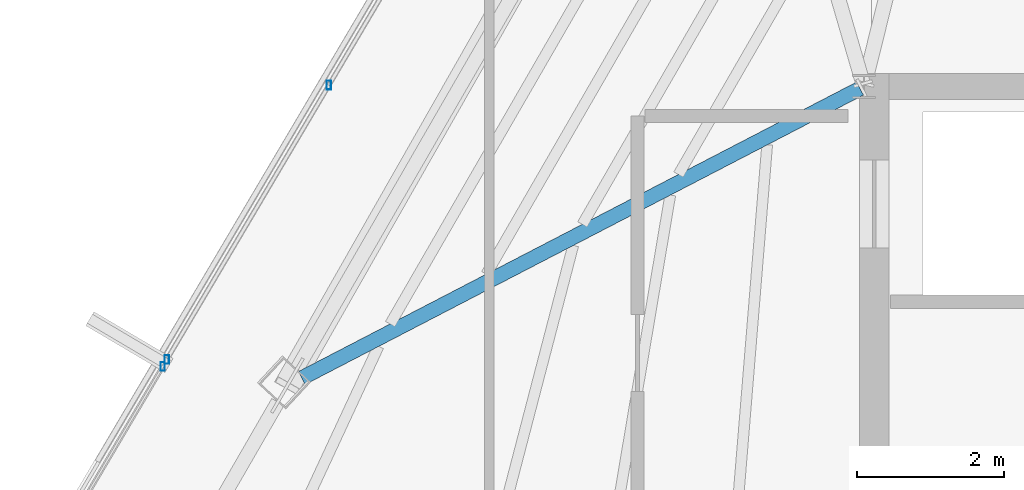
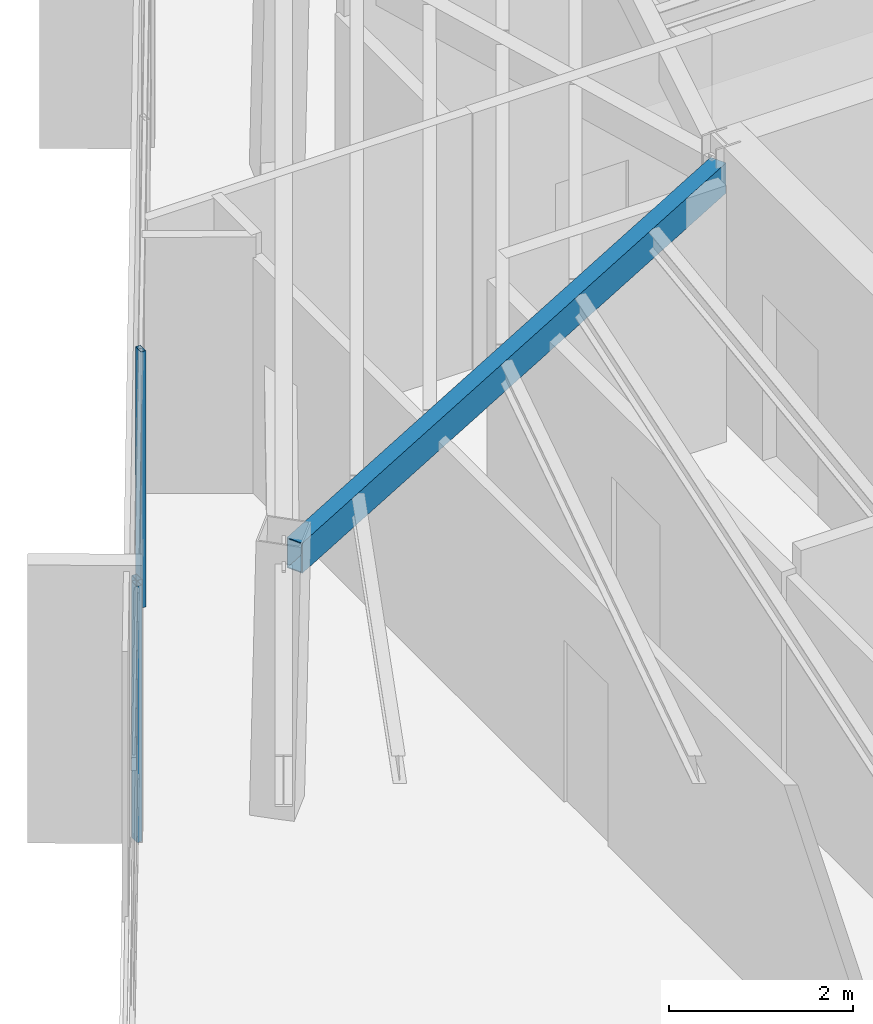
# One storey, part 17 of 45: 3 members, 1 beam, 2 elements without a shape of their own.
"""IFC4 building model written with IfcOpenShell, lengths in metres."""

from ifc_helpers import new_model, si_unit, direction, frame, origin, origin_2d, place, context, subcontext, project, spatial, hollow_rectangle, extrude, source, transform, mapped, material, material_profile, profile_set, type_object, type_shapes, element, aggregate, save


model = new_model("IFC4")

# Units and contexts
model_context = context("Model", 3, precision=1e-05, world=origin(), true_north=direction((0.0, 1.0)))
body_context = subcontext(model_context, "Body", "Model", "MODEL_VIEW")
ifc_project = project(units=[si_unit("LENGTHUNIT", "METRE"), si_unit("AREAUNIT", "SQUARE_METRE"), si_unit("VOLUMEUNIT", "CUBIC_METRE"), si_unit("PLANEANGLEUNIT", "RADIAN"), si_unit("MASSUNIT", "GRAM", prefix="KILO")], contexts=[model_context])

# Site, building, storey
site_placement = place(None, origin())
site = spatial("IfcSite", under=ifc_project, at=site_placement, CompositionType="ELEMENT")
building_placement = place(site_placement, origin())
building = spatial("IfcBuilding", under=site, at=building_placement, Name="Caelisora Broadcast Tower", CompositionType="ELEMENT")
storey_placement = place(building_placement, frame((0.0, 0.0, 273.64990234375)))
storey = spatial("IfcBuildingStorey", under=building, at=storey_placement, Name="L72", CompositionType="ELEMENT", Elevation=273.64990234375)

# Beam
ifc_material_1 = material(Name="Steel Grade 350 (AS/NZS 1163 C350L0)", Category="steel")
ifc_material_profile_1 = material_profile(ifc_material_1, hollow_rectangle(XDim=0.199951171875, YDim=0.39990234375, WallThickness=0.012451171875, at=origin_2d()), Name="Steel Grade 350 (AS/NZS 1163 C350L0)")
ifc_profile_set_1 = profile_set([ifc_material_profile_1], Name="Steel Grade 350 (AS/NZS 1163 C350L0)")
beam_type = type_object("IfcBeamType", Name="PG07", PredefinedType="BEAM", material=ifc_profile_set_1)
shared_shape_1 = source(origin(), body_context, "Body", "SweptSolid", [
    extrude(hollow_rectangle(XDim=0.199951171875, YDim=0.39990234375, WallThickness=0.012451171875, at=origin_2d()), origin(), (0.0, 0.0, 1.0), 8.5556640625),
])
type_shapes(beam_type, [shared_shape_1])
beam_placement = place(storey_placement, frame((30.44677734375, 29.972412109375, 3.2001953125), z_axis=(-0.88771479421, -0.460393792465, 0.0), x_axis=(0.460393792465, -0.88771479421, 0.0)))
element("IfcBeam", 1, at=beam_placement, inside=storey, type_object=beam_type, Name="L72 beam PG07", PredefinedType="BEAM", context=body_context, shape_type="MappedRepresentation", body=[
    mapped(shared_shape_1, transform((0.0, 0.0, 0.0), scale=1.0)),
])

# Curtain wall, member
ifc_material_2 = material(Name="Unitised Aluminium and Low-E Glass Curtain Wall", Category="glass")
curtain_wall_type_1 = type_object("IfcCurtainWallType", Name="CW-Z5", PredefinedType="NOTDEFINED", material=ifc_material_2)
curtain_wall_1_placement = place(storey_placement, origin())
curtain_wall_1 = element("IfcCurtainWall", 2, at=curtain_wall_1_placement, inside=storey, type_object=curtain_wall_type_1, Name="L72 curtain wall CW-Z5", PredefinedType="NOTDEFINED")
ifc_material_3 = material(Name="Aluminium 6063-T6 Anodised Terracotta Bronze", Category="aluminium")
ifc_material_profile_2 = material_profile(ifc_material_3, hollow_rectangle(XDim=0.06005859375, YDim=0.1201171875, WallThickness=0.0029296875, at=origin_2d()), Name="Aluminium 6063-T6 Anodised Terracotta Bronze")
ifc_profile_set_2 = profile_set([ifc_material_profile_2], Name="Aluminium 6063-T6 Anodised Terracotta Bronze")
member_type = type_object("IfcMemberType", Name="CWM-04", PredefinedType="MULLION", material=ifc_profile_set_2)
shared_shape_2 = source(origin(), body_context, "Body", "SweptSolid", [
    extrude(hollow_rectangle(XDim=0.06005859375, YDim=0.1201171875, WallThickness=0.0029296875, at=origin_2d()), origin(), (0.0, 0.0, 1.0), 3.400146484375),
])
type_shapes(member_type, [shared_shape_2])
member_1_placement = place(storey_placement, frame((20.961181640625, 26.191162109375, 0.0), z_axis=(0.0, 0.0, 1.0), x_axis=(1.0, 0.0, 0.0)))
member_1 = element("IfcMember", 3, at=member_1_placement, type_object=member_type, Name="L72-CW-B09 mullion #3", PredefinedType="MULLION", context=body_context, shape_type="MappedRepresentation", body=[
    mapped(shared_shape_2, transform((0.0, 0.0, 0.0), scale=1.0)),
])
aggregate(curtain_wall_1, [member_1])

# Curtain wall, members
ifc_material_4 = material(Name="Unitised Aluminium Insulated Shadow-Box Spandrel Curtain Wall", Category="aluminium")
curtain_wall_type_2 = type_object("IfcCurtainWallType", Name="CW-SP3", PredefinedType="NOTDEFINED", material=ifc_material_4)
curtain_wall_2_placement = place(storey_placement, origin())
curtain_wall_2 = element("IfcCurtainWall", 4, at=curtain_wall_2_placement, inside=storey, type_object=curtain_wall_type_2, Name="L72 curtain wall CW-SP3", PredefinedType="NOTDEFINED")
member_2_placement = place(storey_placement, frame((21.01708984375, 26.285888671875, 0.0), z_axis=(0.0, 0.0, 1.0), x_axis=(1.0, 0.0, 0.0)))
member_2 = element("IfcMember", 5, at=member_2_placement, type_object=member_type, Name="L72-CW-B10 mullion #0", PredefinedType="MULLION", context=body_context, shape_type="MappedRepresentation", body=[
    mapped(shared_shape_2, transform((0.0, 0.0, 0.0), scale=1.0)),
])
member_3_placement = place(storey_placement, frame((23.2216796875, 30.017822265625, 0.0), z_axis=(0.0, 0.0, 1.0), x_axis=(1.0, 0.0, 0.0)))
member_3 = element("IfcMember", 6, at=member_3_placement, type_object=member_type, Name="L72-CW-B10 mullion #1", PredefinedType="MULLION", context=body_context, shape_type="MappedRepresentation", body=[
    mapped(shared_shape_2, transform((0.0, 0.0, 0.0), scale=1.0)),
])
aggregate(curtain_wall_2, [member_2, member_3])

save(model, "model.ifc")
